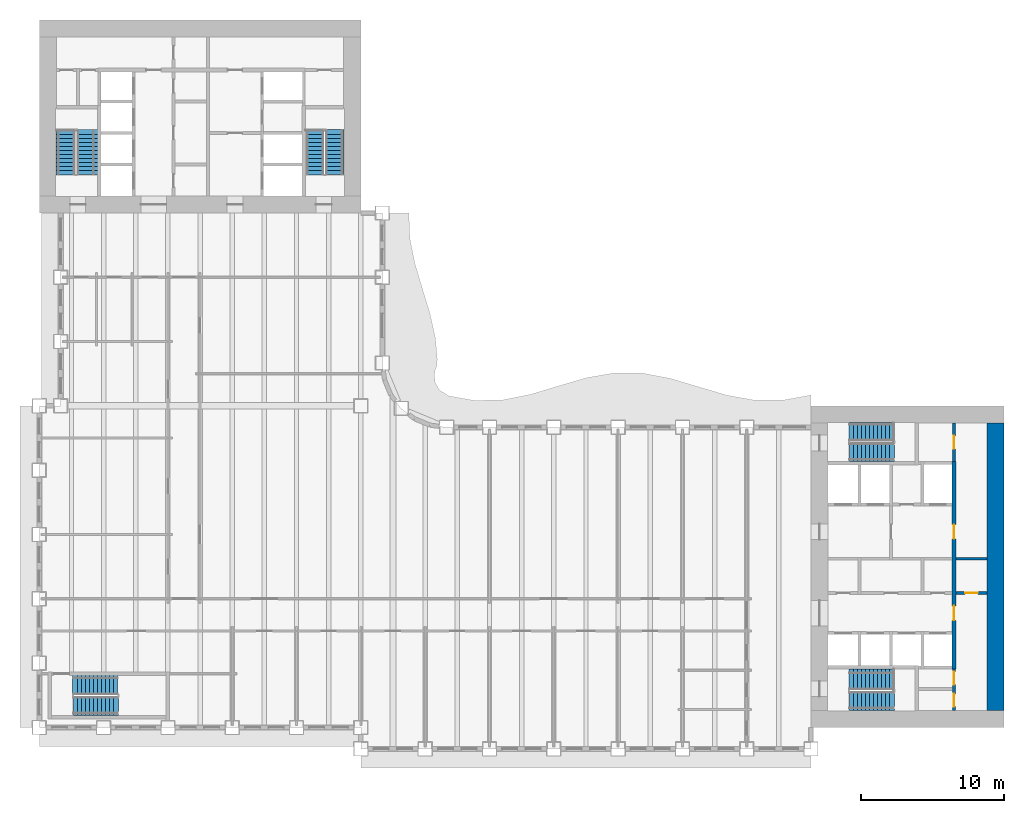
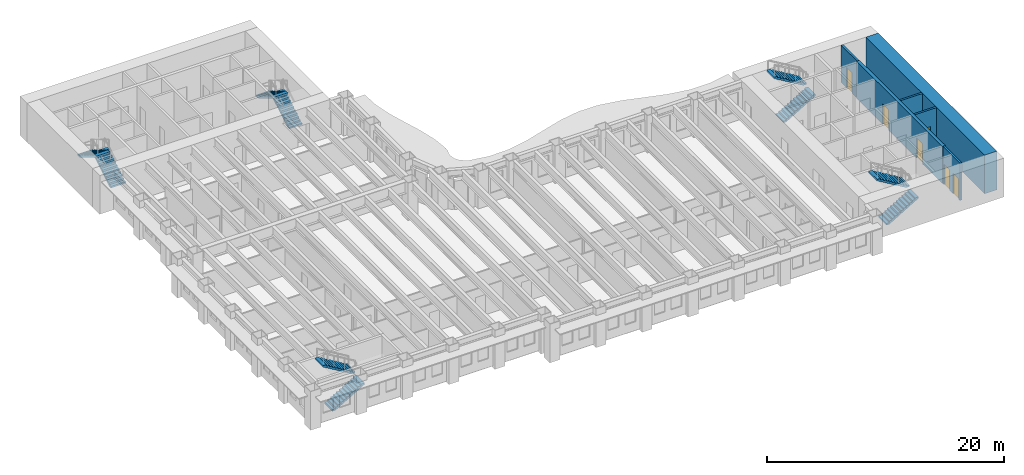
# One storey, part 10 of 16: 10 stair flights, 6 doors, 6 walls, 6 openings, 5 elements without a shape of their own.
"""IFC4 building model written with IfcOpenShell, lengths in metres."""

from ifc_helpers import new_model, si_unit, direction, frame, frame_2d, origin, place, context, subcontext, project, spatial, polyline, rectangle, outline, extrude, material, layer, layer_set, type_object, element, fill, aggregate, save


model = new_model("IFC4")

# Units and contexts
model_context = context("Model", 3, precision=1e-05, world=origin(), true_north=direction((0.0, 1.0)))
body_context = subcontext(model_context, "Body", "Model", "MODEL_VIEW")
ifc_project = project(units=[si_unit("LENGTHUNIT", "METRE"), si_unit("AREAUNIT", "SQUARE_METRE"), si_unit("VOLUMEUNIT", "CUBIC_METRE"), si_unit("PLANEANGLEUNIT", "RADIAN"), si_unit("MASSUNIT", "GRAM", prefix="KILO")], contexts=[model_context])

# Site, building, storey
site_placement = place(None, origin())
site = spatial("IfcSite", under=ifc_project, at=site_placement, CompositionType="ELEMENT")
building_placement = place(site_placement, origin())
building = spatial("IfcBuilding", under=site, at=building_placement, Name="Sennacour Bend Tower", CompositionType="ELEMENT")
storey_placement = place(building_placement, frame((0.0, 0.0, 103.0)))
storey = spatial("IfcBuildingStorey", under=building, at=storey_placement, Name="L23", CompositionType="ELEMENT", Elevation=103.0)

# Wall
ifc_material_1 = material(Name="Concrete C80/95", Category="concrete")
ifc_layer_1 = layer(ifc_material_1, 1.199951171875, Name="Concrete C80/95", Category="concrete")
ifc_layer_set_1 = layer_set([ifc_layer_1], Name="Concrete C80/95")
wall_type_1 = type_object("IfcWallType", Name="Core wall 1200 C80/95", PredefinedType="SHEAR", material=ifc_layer_set_1)
wall_1_placement = place(storey_placement, frame((66.89990234375, 1.199951171875, -0.14990234375), z_axis=(0.0, 0.0, 1.0), x_axis=(0.0, 1.0, 0.0)))
element("IfcWall", 1, at=wall_1_placement, inside=storey, type_object=wall_type_1, Name="Core A wall L23 E", PredefinedType="SHEAR", context=body_context, shape_type="SweptSolid", body=[
    extrude(rectangle(XDim=20.10009765625, YDim=1.199951171875, at=frame_2d((10.050048828125, 0.0))), origin(), (0.0, 0.0, 1.0), 4.0),
])

# Wall, openings, doors
ifc_material_2 = material(Name="Fire-rated plasterboard partition on steel studs", Category="steel")
ifc_layer_2 = layer(ifc_material_2, 0.199951171875, Name="Fire-rated plasterboard partition on steel studs", Category="steel")
ifc_layer_set_2 = layer_set([ifc_layer_2], Name="Fire-rated plasterboard partition on steel studs")
wall_type_2 = type_object("IfcWallType", Name="Rated partition 200", PredefinedType="PARTITIONING", material=ifc_layer_set_2)
wall_2_placement = place(storey_placement, frame((64.0, 1.199951171875, 0.0), z_axis=(0.0, 0.0, 1.0), x_axis=(0.0, 1.0, 0.0)))
wall_2 = element("IfcWall", 2, at=wall_2_placement, inside=storey, type_object=wall_type_2, Name="P-L23-W046", PredefinedType="PARTITIONING", context=body_context, shape_type="SweptSolid", body=[
    extrude(rectangle(XDim=2.900146484375, YDim=0.199951171875, at=frame_2d((1.4501953125, 0.0))), origin(), (0.0, 0.0, 1.0), 3.85009765625),
])
opening_1_placement = place(wall_2_placement, frame((0.25, 0.0, 0.0)))
opening_1 = element("IfcOpeningElement", 3, at=opening_1_placement, cuts=wall_2, Name="Opening SV", PredefinedType="OPENING", context=body_context, shape_type="SweptSolid", body=[
    extrude(rectangle(XDim=0.89990234375, YDim=2.10009765625, at=frame_2d((0.449951171875, 1.050048828125))), frame((0.0, 0.10986328125, 0.0), z_axis=(0.0, -1.0, 0.0), x_axis=(1.0, 0.0, 0.0)), (0.0, 0.0, 1.0), 0.219970703125),
])
opening_2_placement = place(wall_2_placement, frame((1.800048828125, 0.0, 0.0)))
opening_2 = element("IfcOpeningElement", 4, at=opening_2_placement, cuts=wall_2, Name="Opening SV", PredefinedType="OPENING", context=body_context, shape_type="SweptSolid", body=[
    extrude(rectangle(XDim=0.89990234375, YDim=2.10009765625, at=frame_2d((0.449951171875, 1.050048828125))), frame((0.0, 0.10986328125, 0.0), z_axis=(0.0, -1.0, 0.0), x_axis=(1.0, 0.0, 0.0)), (0.0, 0.0, 1.0), 0.219970703125),
])
ifc_material_3 = material(Name="Painted steel", Category="steel")
door_type_1 = type_object("IfcDoorType", Name="DR-SERVICE-900", OperationType="NOTDEFINED", PredefinedType="DOOR", material=ifc_material_3)
door_1_placement = place(opening_1_placement, origin())
door_1 = element("IfcDoor", 5, at=door_1_placement, inside=storey, type_object=door_type_1, Name="Door", OperationType="SINGLE_SWING_LEFT", OverallHeight=2.10009765625, OverallWidth=0.89990234375, PredefinedType="DOOR", context=body_context, shape_type="SweptSolid", body=[
    extrude(rectangle(XDim=0.89990234375, YDim=2.10009765625, at=frame_2d((0.449951171875, 1.050048828125))), frame((0.0, 0.02490234375, 0.0), z_axis=(0.0, -1.0, 0.0), x_axis=(1.0, 0.0, 0.0)), (0.0, 0.0, 1.0), 0.050048828125),
])
fill(opening_1, door_1)
door_2_placement = place(opening_2_placement, origin())
door_2 = element("IfcDoor", 6, at=door_2_placement, inside=storey, type_object=door_type_1, Name="Door", OperationType="SINGLE_SWING_RIGHT", OverallHeight=2.10009765625, OverallWidth=0.89990234375, PredefinedType="DOOR", context=body_context, shape_type="SweptSolid", body=[
    extrude(rectangle(XDim=0.89990234375, YDim=2.10009765625, at=frame_2d((0.449951171875, 1.050048828125))), frame((0.0, 0.02490234375, 0.0), z_axis=(0.0, -1.0, 0.0), x_axis=(1.0, 0.0, 0.0)), (0.0, 0.0, 1.0), 0.050048828125),
])
fill(opening_2, door_2)

# Wall, opening, door
wall_3_placement = place(storey_placement, frame((64.0, 18.60009765625, 0.0), z_axis=(0.0, 0.0, 1.0), x_axis=(0.0, 1.0, 0.0)))
wall_3 = element("IfcWall", 7, at=wall_3_placement, inside=storey, type_object=wall_type_2, Name="P-L23-W048", PredefinedType="PARTITIONING", context=body_context, shape_type="SweptSolid", body=[
    extrude(rectangle(XDim=2.699951171875, YDim=0.199951171875, at=frame_2d((1.35009765625, 0.0))), origin(), (0.0, 0.0, 1.0), 3.85009765625),
])
opening_3_placement = place(wall_3_placement, frame((0.89990234375, 0.0, 0.0)))
opening_3 = element("IfcOpeningElement", 8, at=opening_3_placement, cuts=wall_3, Name="Opening WD", PredefinedType="OPENING", context=body_context, shape_type="SweptSolid", body=[
    extrude(rectangle(XDim=0.89990234375, YDim=2.10009765625, at=frame_2d((0.449951171875, 1.050048828125))), frame((0.0, 0.10986328125, 0.0), z_axis=(0.0, -1.0, 0.0), x_axis=(1.0, 0.0, 0.0)), (0.0, 0.0, 1.0), 0.219970703125),
])
ifc_material_4 = material(Name="Timber", Category="wood")
door_type_2 = type_object("IfcDoorType", Name="DR-WC-900", OperationType="NOTDEFINED", PredefinedType="DOOR", material=ifc_material_4)
door_3_placement = place(opening_3_placement, origin())
door_3 = element("IfcDoor", 9, at=door_3_placement, inside=storey, type_object=door_type_2, Name="Door", OperationType="SINGLE_SWING_LEFT", OverallHeight=2.10009765625, OverallWidth=0.89990234375, PredefinedType="DOOR", context=body_context, shape_type="SweptSolid", body=[
    extrude(rectangle(XDim=0.89990234375, YDim=2.10009765625, at=frame_2d((0.449951171875, 1.050048828125))), frame((0.0, 0.02490234375, 0.0), z_axis=(0.0, -1.0, 0.0), x_axis=(1.0, 0.0, 0.0)), (0.0, 0.0, 1.0), 0.050048828125),
])
fill(opening_3, door_3)

wall_4_placement = place(storey_placement, frame((64.14990234375, 9.39990234375, 0.0), z_axis=(0.0, 0.0, 1.0), x_axis=(1.0, 0.0, 0.0)))
wall_4 = element("IfcWall", 10, at=wall_4_placement, inside=storey, type_object=wall_type_2, Name="P-L23-W062d", PredefinedType="PARTITIONING", context=body_context, shape_type="SweptSolid", body=[
    extrude(rectangle(XDim=2.150146484375, YDim=0.199951171875, at=frame_2d((1.0751953125, 0.0))), origin(), (0.0, 0.0, 1.0), 3.85009765625),
])
opening_4_placement = place(wall_4_placement, frame((0.625, 0.0, 0.0)))
opening_4 = element("IfcOpeningElement", 11, at=opening_4_placement, cuts=wall_4, Name="Opening SV", PredefinedType="OPENING", context=body_context, shape_type="SweptSolid", body=[
    extrude(rectangle(XDim=0.89990234375, YDim=2.10009765625, at=frame_2d((0.449951171875, 1.050048828125))), frame((0.0, 0.10986328125, 0.0), z_axis=(0.0, -1.0, 0.0), x_axis=(1.0, 0.0, 0.0)), (0.0, 0.0, 1.0), 0.219970703125),
])
door_4_placement = place(opening_4_placement, origin())
door_4 = element("IfcDoor", 12, at=door_4_placement, inside=storey, type_object=door_type_1, Name="Door", OperationType="SINGLE_SWING_LEFT", OverallHeight=2.10009765625, OverallWidth=0.89990234375, PredefinedType="DOOR", context=body_context, shape_type="SweptSolid", body=[
    extrude(rectangle(XDim=0.89990234375, YDim=2.10009765625, at=frame_2d((0.449951171875, 1.050048828125))), frame((0.0, 0.02490234375, 0.0), z_axis=(0.0, -1.0, 0.0), x_axis=(1.0, 0.0, 0.0)), (0.0, 0.0, 1.0), 0.050048828125),
])
fill(opening_4, door_4)

# Wall
wall_5_placement = place(storey_placement, frame((64.14990234375, 11.800048828125, 0.0), z_axis=(0.0, 0.0, 1.0), x_axis=(1.0, 0.0, 0.0)))
element("IfcWall", 13, at=wall_5_placement, inside=storey, type_object=wall_type_2, Name="P-L23-W063e", PredefinedType="PARTITIONING", context=body_context, shape_type="SweptSolid", body=[
    extrude(rectangle(XDim=2.150146484375, YDim=0.199951171875, at=frame_2d((1.0751953125, 0.0))), origin(), (0.0, 0.0, 1.0), 3.85009765625),
])

# Wall, openings, doors
ifc_material_5 = material(Name="Concrete C60/75", Category="concrete")
ifc_layer_3 = layer(ifc_material_5, 0.300048828125, Name="Concrete C60/75", Category="concrete")
ifc_layer_set_3 = layer_set([ifc_layer_3], Name="Concrete C60/75")
wall_type_3 = type_object("IfcWallType", Name="Spine wall 300", PredefinedType="SHEAR", material=ifc_layer_set_3)
wall_6_placement = place(storey_placement, frame((64.0, 4.10009765625, 0.0), z_axis=(0.0, 0.0, 1.0), x_axis=(0.0, 1.0, 0.0)))
wall_6 = element("IfcWall", 14, at=wall_6_placement, inside=storey, type_object=wall_type_3, Name="P-L23-W047", PredefinedType="SHEAR", context=body_context, shape_type="SweptSolid", body=[
    extrude(rectangle(XDim=14.5, YDim=0.300048828125, at=frame_2d((7.25, 0.0))), origin(), (0.0, 0.0, 1.0), 3.85009765625),
])
opening_5_placement = place(wall_6_placement, frame((3.39990234375, 0.0, 0.0)))
opening_5 = element("IfcOpeningElement", 15, at=opening_5_placement, cuts=wall_6, Name="Opening CD2", PredefinedType="OPENING", context=body_context, shape_type="SweptSolid", body=[
    extrude(rectangle(XDim=1.0, YDim=2.10009765625, at=frame_2d((0.5, 1.050048828125))), frame((0.0, 0.16015625, 0.0), z_axis=(0.0, -1.0, 0.0), x_axis=(1.0, 0.0, 0.0)), (0.0, 0.0, 1.0), 0.320068359375),
])
opening_6_placement = place(wall_6_placement, frame((9.099853515625, 0.0, 0.0)))
opening_6 = element("IfcOpeningElement", 16, at=opening_6_placement, cuts=wall_6, Name="Opening CD2", PredefinedType="OPENING", context=body_context, shape_type="SweptSolid", body=[
    extrude(rectangle(XDim=1.0, YDim=2.10009765625, at=frame_2d((0.5, 1.050048828125))), frame((0.0, 0.16015625, 0.0), z_axis=(0.0, -1.0, 0.0), x_axis=(1.0, 0.0, 0.0)), (0.0, 0.0, 1.0), 0.320068359375),
])
door_type_3 = type_object("IfcDoorType", Name="DR-LOBBY-1000", OperationType="NOTDEFINED", PredefinedType="DOOR", material=ifc_material_3)
door_5_placement = place(opening_5_placement, origin())
door_5 = element("IfcDoor", 17, at=door_5_placement, inside=storey, type_object=door_type_3, Name="Door", OperationType="SINGLE_SWING_LEFT", OverallHeight=2.10009765625, OverallWidth=1.0, PredefinedType="DOOR", context=body_context, shape_type="SweptSolid", body=[
    extrude(rectangle(XDim=1.0, YDim=2.10009765625, at=frame_2d((0.5, 1.050048828125))), frame((0.0, 0.02490234375, 0.0), z_axis=(0.0, -1.0, 0.0), x_axis=(1.0, 0.0, 0.0)), (0.0, 0.0, 1.0), 0.050048828125),
])
fill(opening_5, door_5)
door_6_placement = place(opening_6_placement, origin())
door_6 = element("IfcDoor", 18, at=door_6_placement, inside=storey, type_object=door_type_3, Name="Door", OperationType="SINGLE_SWING_RIGHT", OverallHeight=2.10009765625, OverallWidth=1.0, PredefinedType="DOOR", context=body_context, shape_type="SweptSolid", body=[
    extrude(rectangle(XDim=1.0, YDim=2.10009765625, at=frame_2d((0.5, 1.050048828125))), frame((0.0, 0.02490234375, 0.0), z_axis=(0.0, -1.0, 0.0), x_axis=(1.0, 0.0, 0.0)), (0.0, 0.0, 1.0), 0.050048828125),
])
fill(opening_6, door_6)

# Stair, stair flights
ifc_material_6 = material(Name="Concrete C40/50", Category="concrete")
stair_type = type_object("IfcStairType", Name="ST-DOGLEG", PredefinedType="HALF_TURN_STAIR", material=ifc_material_6)
stair_1_placement = place(storey_placement, origin())
stair_1 = element("IfcStair", 19, at=stair_1_placement, inside=storey, type_object=stair_type, Name="L23 Exit stair A1", PredefinedType="HALF_TURN_STAIR")
stair_flight_type = type_object("IfcStairFlightType", Name="SFL-RC", PredefinedType="STRAIGHT", material=ifc_material_6)
stair_flight_1_placement = place(storey_placement, frame((56.699951171875, 1.8349609375, 0.0), z_axis=(0.0, 0.0, 1.0), x_axis=(1.0, 0.0, 0.0)))
stair_flight_1 = element("IfcStairFlight", 20, at=stair_flight_1_placement, type_object=stair_flight_type, Name="SA1 flight 1", NumberOfRisers=12, NumberOfTreads=11, PredefinedType="STRAIGHT", RiserHeight=0.166666667, TreadLength=0.28, context=body_context, shape_type="SweptSolid", body=[
    extrude(outline(polyline([(0.0, 0.0), (0.0, 0.166748046875), (0.280029296875, 0.166748046875), (0.280029296875, 0.333251953125), (0.56005859375, 0.333251953125), (0.56005859375, 0.5), (0.840087890625, 0.5), (0.840087890625, 0.666748046875), (1.1201171875, 0.666748046875), (1.1201171875, 0.833251953125), (1.39990234375, 0.833251953125), (1.39990234375, 1.0), (1.679931640625, 1.0), (1.679931640625, 1.166748046875), (1.9599609375, 1.166748046875), (1.9599609375, 1.333251953125), (2.239990234375, 1.333251953125), (2.239990234375, 1.5), (2.52001953125, 1.5), (2.52001953125, 1.666748046875), (2.800048828125, 1.666748046875), (2.800048828125, 1.833251953125), (3.080078125, 1.833251953125), (3.139892578125, 1.833251953125), (3.139892578125, 1.658935546875), (3.080078125, 1.658935546875), (0.29296875, 0.0), (0.0, 0.0)])), frame((0.0, 0.6650390625, 0.0), z_axis=(0.0, -1.0, 0.0), x_axis=(1.0, 0.0, 0.0)), (0.0, 0.0, 1.0), 1.330078125),
])
stair_flight_2_placement = place(storey_placement, frame((59.780029296875, 3.37744140625, 2.0), z_axis=(0.0, 0.0, 1.0), x_axis=(-1.0, 0.0, 0.0)))
stair_flight_2 = element("IfcStairFlight", 21, at=stair_flight_2_placement, type_object=stair_flight_type, Name="SA1 flight 2", NumberOfRisers=12, NumberOfTreads=11, PredefinedType="STRAIGHT", RiserHeight=0.166666667, TreadLength=0.28, context=body_context, shape_type="SweptSolid", body=[
    extrude(outline(polyline([(0.0, 0.0), (0.0, 0.166748046875), (0.280029296875, 0.166748046875), (0.280029296875, 0.333251953125), (0.56005859375, 0.333251953125), (0.56005859375, 0.5), (0.840087890625, 0.5), (0.840087890625, 0.666748046875), (1.1201171875, 0.666748046875), (1.1201171875, 0.833251953125), (1.39990234375, 0.833251953125), (1.39990234375, 1.0), (1.679931640625, 1.0), (1.679931640625, 1.166748046875), (1.9599609375, 1.166748046875), (1.9599609375, 1.333251953125), (2.239990234375, 1.333251953125), (2.239990234375, 1.5), (2.52001953125, 1.5), (2.52001953125, 1.666748046875), (2.800048828125, 1.666748046875), (2.800048828125, 1.833251953125), (3.080078125, 1.833251953125), (3.139892578125, 1.833251953125), (3.139892578125, 1.658935546875), (3.080078125, 1.658935546875), (0.29296875, 0.0), (0.0, 0.0)])), frame((0.0, 0.7275390625, 0.0), z_axis=(0.0, -1.0, 0.0), x_axis=(1.0, 0.0, 0.0)), (0.0, 0.0, 1.0), 1.455078125),
])
aggregate(stair_1, [stair_flight_1, stair_flight_2])

stair_2_placement = place(storey_placement, origin())
stair_2 = element("IfcStair", 22, at=stair_2_placement, inside=storey, type_object=stair_type, Name="L23 Exit stair A2", PredefinedType="HALF_TURN_STAIR")
stair_flight_3_placement = place(storey_placement, frame((56.699951171875, 19.24755859375, 0.0), z_axis=(0.0, 0.0, 1.0), x_axis=(1.0, 0.0, 0.0)))
stair_flight_3 = element("IfcStairFlight", 23, at=stair_flight_3_placement, type_object=stair_flight_type, Name="SA2 flight 1", NumberOfRisers=12, NumberOfTreads=11, PredefinedType="STRAIGHT", RiserHeight=0.166666667, TreadLength=0.28, context=body_context, shape_type="SweptSolid", body=[
    extrude(outline(polyline([(0.0, 0.0), (0.0, 0.166748046875), (0.280029296875, 0.166748046875), (0.280029296875, 0.333251953125), (0.56005859375, 0.333251953125), (0.56005859375, 0.5), (0.840087890625, 0.5), (0.840087890625, 0.666748046875), (1.1201171875, 0.666748046875), (1.1201171875, 0.833251953125), (1.39990234375, 0.833251953125), (1.39990234375, 1.0), (1.679931640625, 1.0), (1.679931640625, 1.166748046875), (1.9599609375, 1.166748046875), (1.9599609375, 1.333251953125), (2.239990234375, 1.333251953125), (2.239990234375, 1.5), (2.52001953125, 1.5), (2.52001953125, 1.666748046875), (2.800048828125, 1.666748046875), (2.800048828125, 1.833251953125), (3.080078125, 1.833251953125), (3.139892578125, 1.833251953125), (3.139892578125, 1.658935546875), (3.080078125, 1.658935546875), (0.29296875, 0.0), (0.0, 0.0)])), frame((0.0, 0.65234375, 0.0), z_axis=(0.0, -1.0, 0.0), x_axis=(1.0, 0.0, 0.0)), (0.0, 0.0, 1.0), 1.304931640625),
])
stair_flight_4_placement = place(storey_placement, frame((59.780029296875, 20.68994140625, 2.0), z_axis=(0.0, 0.0, 1.0), x_axis=(-1.0, 0.0, 0.0)))
stair_flight_4 = element("IfcStairFlight", 24, at=stair_flight_4_placement, type_object=stair_flight_type, Name="SA2 flight 2", NumberOfRisers=12, NumberOfTreads=11, PredefinedType="STRAIGHT", RiserHeight=0.166666667, TreadLength=0.28, context=body_context, shape_type="SweptSolid", body=[
    extrude(outline(polyline([(0.0, 0.0), (0.0, 0.166748046875), (0.280029296875, 0.166748046875), (0.280029296875, 0.333251953125), (0.56005859375, 0.333251953125), (0.56005859375, 0.5), (0.840087890625, 0.5), (0.840087890625, 0.666748046875), (1.1201171875, 0.666748046875), (1.1201171875, 0.833251953125), (1.39990234375, 0.833251953125), (1.39990234375, 1.0), (1.679931640625, 1.0), (1.679931640625, 1.166748046875), (1.9599609375, 1.166748046875), (1.9599609375, 1.333251953125), (2.239990234375, 1.333251953125), (2.239990234375, 1.5), (2.52001953125, 1.5), (2.52001953125, 1.666748046875), (2.800048828125, 1.666748046875), (2.800048828125, 1.833251953125), (3.080078125, 1.833251953125), (3.139892578125, 1.833251953125), (3.139892578125, 1.658935546875), (3.080078125, 1.658935546875), (0.29296875, 0.0), (0.0, 0.0)])), frame((0.0, 0.64013671875, 0.0), z_axis=(0.0, -1.0, 0.0), x_axis=(1.0, 0.0, 0.0)), (0.0, 0.0, 1.0), 1.280029296875),
])
aggregate(stair_2, [stair_flight_3, stair_flight_4])

stair_3_placement = place(storey_placement, origin())
stair_3 = element("IfcStair", 25, at=stair_3_placement, inside=storey, type_object=stair_type, Name="L23 Exit stair B1", PredefinedType="HALF_TURN_STAIR")
stair_flight_5_placement = place(storey_placement, frame((3.37744140625, 38.699951171875, 0.0), z_axis=(0.0, 0.0, 1.0), x_axis=(0.0, 1.0, 0.0)))
stair_flight_5 = element("IfcStairFlight", 26, at=stair_flight_5_placement, type_object=stair_flight_type, Name="SB1 flight 1", NumberOfRisers=12, NumberOfTreads=11, PredefinedType="STRAIGHT", RiserHeight=0.166666667, TreadLength=0.28, context=body_context, shape_type="SweptSolid", body=[
    extrude(outline(polyline([(0.0, 0.0), (0.0, 0.166748046875), (0.280029296875, 0.166748046875), (0.280029296875, 0.333251953125), (0.56005859375, 0.333251953125), (0.56005859375, 0.5), (0.840087890625, 0.5), (0.840087890625, 0.666748046875), (1.1201171875, 0.666748046875), (1.1201171875, 0.833251953125), (1.39990234375, 0.833251953125), (1.39990234375, 1.0), (1.679931640625, 1.0), (1.679931640625, 1.166748046875), (1.9599609375, 1.166748046875), (1.9599609375, 1.333251953125), (2.239990234375, 1.333251953125), (2.239990234375, 1.5), (2.52001953125, 1.5), (2.52001953125, 1.666748046875), (2.800048828125, 1.666748046875), (2.800048828125, 1.833251953125), (3.080078125, 1.833251953125), (3.139892578125, 1.833251953125), (3.139892578125, 1.658935546875), (3.080078125, 1.658935546875), (0.29296875, 0.0), (0.0, 0.0)])), frame((0.0, 0.7275390625, 0.0), z_axis=(0.0, -1.0, 0.0), x_axis=(1.0, 0.0, 0.0)), (0.0, 0.0, 1.0), 1.455078125),
])
stair_flight_6_placement = place(storey_placement, frame((1.8349609375, 41.780029296875, 2.0), z_axis=(0.0, 0.0, 1.0), x_axis=(0.0, -1.0, 0.0)))
stair_flight_6 = element("IfcStairFlight", 27, at=stair_flight_6_placement, type_object=stair_flight_type, Name="SB1 flight 2", NumberOfRisers=12, NumberOfTreads=11, PredefinedType="STRAIGHT", RiserHeight=0.166666667, TreadLength=0.28, context=body_context, shape_type="SweptSolid", body=[
    extrude(outline(polyline([(0.0, 0.0), (0.0, 0.166748046875), (0.280029296875, 0.166748046875), (0.280029296875, 0.333251953125), (0.56005859375, 0.333251953125), (0.56005859375, 0.5), (0.840087890625, 0.5), (0.840087890625, 0.666748046875), (1.1201171875, 0.666748046875), (1.1201171875, 0.833251953125), (1.39990234375, 0.833251953125), (1.39990234375, 1.0), (1.679931640625, 1.0), (1.679931640625, 1.166748046875), (1.9599609375, 1.166748046875), (1.9599609375, 1.333251953125), (2.239990234375, 1.333251953125), (2.239990234375, 1.5), (2.52001953125, 1.5), (2.52001953125, 1.666748046875), (2.800048828125, 1.666748046875), (2.800048828125, 1.833251953125), (3.080078125, 1.833251953125), (3.139892578125, 1.833251953125), (3.139892578125, 1.658935546875), (3.080078125, 1.658935546875), (0.29296875, 0.0), (0.0, 0.0)])), frame((0.0, 0.6650390625, 0.0), z_axis=(0.0, -1.0, 0.0), x_axis=(1.0, 0.0, 0.0)), (0.0, 0.0, 1.0), 1.330078125),
])
aggregate(stair_3, [stair_flight_5, stair_flight_6])

stair_4_placement = place(storey_placement, origin())
stair_4 = element("IfcStair", 28, at=stair_4_placement, inside=storey, type_object=stair_type, Name="L23 Exit stair B2", PredefinedType="HALF_TURN_STAIR")
stair_flight_7_placement = place(storey_placement, frame((20.68994140625, 38.699951171875, 0.0), z_axis=(0.0, 0.0, 1.0), x_axis=(0.0, 1.0, 0.0)))
stair_flight_7 = element("IfcStairFlight", 29, at=stair_flight_7_placement, type_object=stair_flight_type, Name="SB2 flight 1", NumberOfRisers=12, NumberOfTreads=11, PredefinedType="STRAIGHT", RiserHeight=0.166666667, TreadLength=0.28, context=body_context, shape_type="SweptSolid", body=[
    extrude(outline(polyline([(0.0, 0.0), (0.0, 0.166748046875), (0.280029296875, 0.166748046875), (0.280029296875, 0.333251953125), (0.56005859375, 0.333251953125), (0.56005859375, 0.5), (0.840087890625, 0.5), (0.840087890625, 0.666748046875), (1.1201171875, 0.666748046875), (1.1201171875, 0.833251953125), (1.39990234375, 0.833251953125), (1.39990234375, 1.0), (1.679931640625, 1.0), (1.679931640625, 1.166748046875), (1.9599609375, 1.166748046875), (1.9599609375, 1.333251953125), (2.239990234375, 1.333251953125), (2.239990234375, 1.5), (2.52001953125, 1.5), (2.52001953125, 1.666748046875), (2.800048828125, 1.666748046875), (2.800048828125, 1.833251953125), (3.080078125, 1.833251953125), (3.139892578125, 1.833251953125), (3.139892578125, 1.658935546875), (3.080078125, 1.658935546875), (0.29296875, 0.0), (0.0, 0.0)])), frame((0.0, 0.64013671875, 0.0), z_axis=(0.0, -1.0, 0.0), x_axis=(1.0, 0.0, 0.0)), (0.0, 0.0, 1.0), 1.280029296875),
])
stair_flight_8_placement = place(storey_placement, frame((19.24755859375, 41.780029296875, 2.0), z_axis=(0.0, 0.0, 1.0), x_axis=(0.0, -1.0, 0.0)))
stair_flight_8 = element("IfcStairFlight", 30, at=stair_flight_8_placement, type_object=stair_flight_type, Name="SB2 flight 2", NumberOfRisers=12, NumberOfTreads=11, PredefinedType="STRAIGHT", RiserHeight=0.166666667, TreadLength=0.28, context=body_context, shape_type="SweptSolid", body=[
    extrude(outline(polyline([(0.0, 0.0), (0.0, 0.166748046875), (0.280029296875, 0.166748046875), (0.280029296875, 0.333251953125), (0.56005859375, 0.333251953125), (0.56005859375, 0.5), (0.840087890625, 0.5), (0.840087890625, 0.666748046875), (1.1201171875, 0.666748046875), (1.1201171875, 0.833251953125), (1.39990234375, 0.833251953125), (1.39990234375, 1.0), (1.679931640625, 1.0), (1.679931640625, 1.166748046875), (1.9599609375, 1.166748046875), (1.9599609375, 1.333251953125), (2.239990234375, 1.333251953125), (2.239990234375, 1.5), (2.52001953125, 1.5), (2.52001953125, 1.666748046875), (2.800048828125, 1.666748046875), (2.800048828125, 1.833251953125), (3.080078125, 1.833251953125), (3.139892578125, 1.833251953125), (3.139892578125, 1.658935546875), (3.080078125, 1.658935546875), (0.29296875, 0.0), (0.0, 0.0)])), frame((0.0, 0.65234375, 0.0), z_axis=(0.0, -1.0, 0.0), x_axis=(1.0, 0.0, 0.0)), (0.0, 0.0, 1.0), 1.304931640625),
])
aggregate(stair_4, [stair_flight_7, stair_flight_8])

stair_5_placement = place(storey_placement, origin())
stair_5 = element("IfcStair", 31, at=stair_5_placement, inside=storey, type_object=stair_type, Name="L23 Exit stair K1", PredefinedType="HALF_TURN_STAIR")
stair_flight_9_placement = place(storey_placement, frame((2.39990234375, 1.485107421875, 0.0), z_axis=(0.0, 0.0, 1.0), x_axis=(1.0, 0.0, 0.0)))
stair_flight_9 = element("IfcStairFlight", 32, at=stair_flight_9_placement, type_object=stair_flight_type, Name="SK1 flight 1", NumberOfRisers=12, NumberOfTreads=11, PredefinedType="STRAIGHT", RiserHeight=0.166666667, TreadLength=0.28, context=body_context, shape_type="SweptSolid", body=[
    extrude(outline(polyline([(0.0, 0.0), (0.0, 0.166748046875), (0.280029296875, 0.166748046875), (0.280029296875, 0.333251953125), (0.56005859375, 0.333251953125), (0.56005859375, 0.5), (0.840087890625, 0.5), (0.840087890625, 0.666748046875), (1.1201171875, 0.666748046875), (1.1201171875, 0.833251953125), (1.39990234375, 0.833251953125), (1.39990234375, 1.0), (1.679931640625, 1.0), (1.679931640625, 1.166748046875), (1.9599609375, 1.166748046875), (1.9599609375, 1.333251953125), (2.239990234375, 1.333251953125), (2.239990234375, 1.5), (2.52001953125, 1.5), (2.52001953125, 1.666748046875), (2.800048828125, 1.666748046875), (2.800048828125, 1.833251953125), (3.080078125, 1.833251953125), (3.139892578125, 1.833251953125), (3.139892578125, 1.658935546875), (3.080078125, 1.658935546875), (0.29296875, 0.0), (0.0, 0.0)])), frame((0.0, 0.6650390625, 0.0), z_axis=(0.0, -1.0, 0.0), x_axis=(1.0, 0.0, 0.0)), (0.0, 0.0, 1.0), 1.330078125),
])
stair_flight_10_placement = place(storey_placement, frame((5.47998046875, 2.9775390625, 2.0), z_axis=(0.0, 0.0, 1.0), x_axis=(-1.0, 0.0, 0.0)))
stair_flight_10 = element("IfcStairFlight", 33, at=stair_flight_10_placement, type_object=stair_flight_type, Name="SK1 flight 2", NumberOfRisers=12, NumberOfTreads=11, PredefinedType="STRAIGHT", RiserHeight=0.166666667, TreadLength=0.28, context=body_context, shape_type="SweptSolid", body=[
    extrude(outline(polyline([(0.0, 0.0), (0.0, 0.166748046875), (0.280029296875, 0.166748046875), (0.280029296875, 0.333251953125), (0.56005859375, 0.333251953125), (0.56005859375, 0.5), (0.840087890625, 0.5), (0.840087890625, 0.666748046875), (1.1201171875, 0.666748046875), (1.1201171875, 0.833251953125), (1.39990234375, 0.833251953125), (1.39990234375, 1.0), (1.679931640625, 1.0), (1.679931640625, 1.166748046875), (1.9599609375, 1.166748046875), (1.9599609375, 1.333251953125), (2.239990234375, 1.333251953125), (2.239990234375, 1.5), (2.52001953125, 1.5), (2.52001953125, 1.666748046875), (2.800048828125, 1.666748046875), (2.800048828125, 1.833251953125), (3.080078125, 1.833251953125), (3.139892578125, 1.833251953125), (3.139892578125, 1.658935546875), (3.080078125, 1.658935546875), (0.29296875, 0.0), (0.0, 0.0)])), frame((0.0, 0.677490234375, 0.0), z_axis=(0.0, -1.0, 0.0), x_axis=(1.0, 0.0, 0.0)), (0.0, 0.0, 1.0), 1.35498046875),
])
aggregate(stair_5, [stair_flight_9, stair_flight_10])

save(model, "model.ifc")
